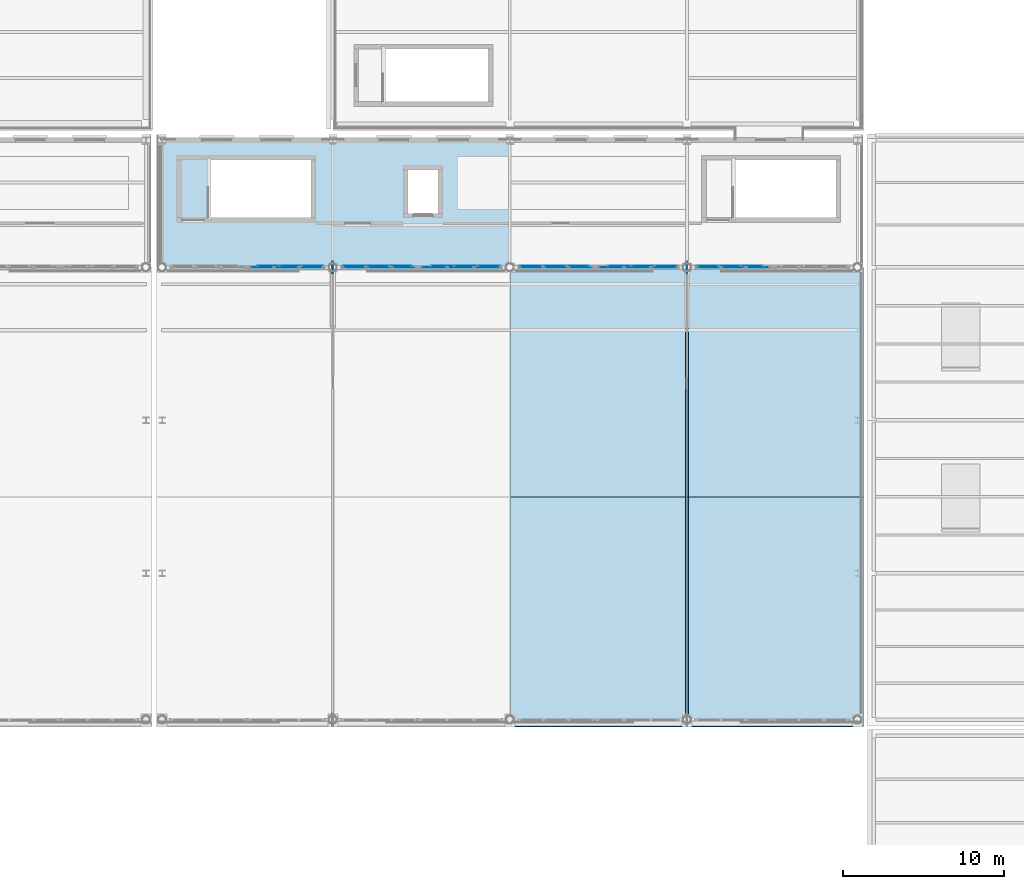
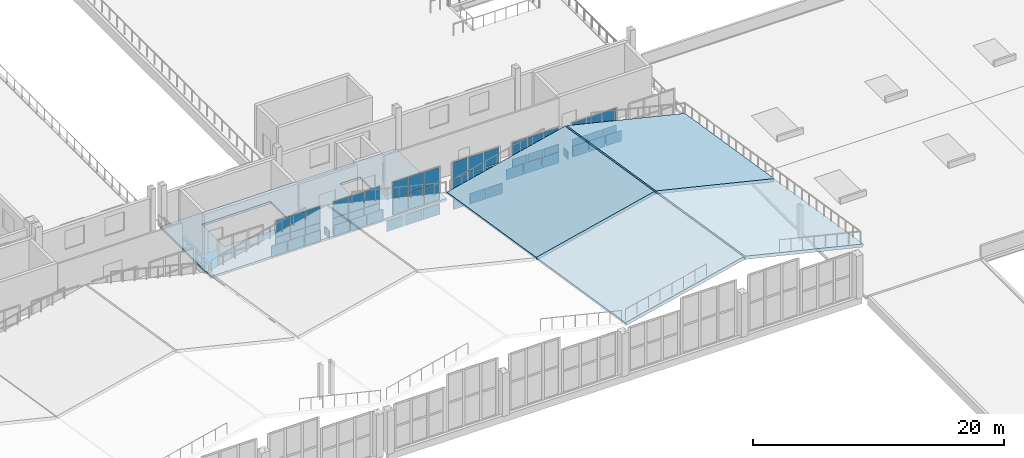
# One storey, part 84 of 120: 56 plates, 5 slabs, 12 elements without a shape of their own.
"""IFC4 building model written with IfcOpenShell, lengths in metres."""

from ifc_helpers import new_model, si_unit, direction, frame, origin, origin_2d, place, context, subcontext, project, spatial, polyline, rectangle, outline, extrude, material, layer, layer_set, type_object, element, aggregate, save


model = new_model("IFC4")

# Units and contexts
model_context = context("Model", 3, precision=1e-05, world=origin(), true_north=direction((0.0, 1.0)))
body_context = subcontext(model_context, "Body", "Model", "MODEL_VIEW")
ifc_project = project(units=[si_unit("LENGTHUNIT", "METRE"), si_unit("AREAUNIT", "SQUARE_METRE"), si_unit("VOLUMEUNIT", "CUBIC_METRE"), si_unit("PLANEANGLEUNIT", "RADIAN"), si_unit("MASSUNIT", "GRAM", prefix="KILO")], contexts=[model_context])

# Site, building, storey
site_placement = place(None, origin())
site = spatial("IfcSite", under=ifc_project, at=site_placement, CompositionType="ELEMENT")
building_placement = place(site_placement, origin())
building = spatial("IfcBuilding", under=site, at=building_placement, Name="Caurita Quay Ferry Terminal", CompositionType="ELEMENT")
storey_placement = place(building_placement, frame((0.0, 0.0, 9.89990234375)))
storey = spatial("IfcBuildingStorey", under=building, at=storey_placement, Name="L02", CompositionType="ELEMENT", Elevation=9.89990234375)

# Curtain wall, plates
ifc_material_1 = material(Name="Laminated solar-control insulated glass", Category="glass")
curtain_wall_type_1 = type_object("IfcCurtainWallType", Name="CW-SYS-14", PredefinedType="NOTDEFINED", material=ifc_material_1)
curtain_wall_1_placement = place(storey_placement, origin())
curtain_wall_1 = element("IfcCurtainWall", 1, at=curtain_wall_1_placement, inside=storey, type_object=curtain_wall_type_1, Name="Mezzanine Hall Overlook Glazing 106", PredefinedType="NOTDEFINED")
ifc_layer_1 = layer(ifc_material_1, 0.02392578125, Name="Laminated low-e hurricane-rated glazing unit 24 mm")
ifc_layer_set_1 = layer_set([ifc_layer_1], Name="Laminated solar-control insulated glass")
plate_type_1 = type_object("IfcPlateType", Name="CW-PNL-24", PredefinedType="CURTAIN_PANEL", material=ifc_layer_set_1)
plate_1_placement = place(storey_placement, frame((95.1650390625, 62.800048828125, 0.05810546875), z_axis=(0.0, 0.0, 1.0), x_axis=(1.0, 0.0, 0.0)))
plate_1 = element("IfcPlate", 2, at=plate_1_placement, type_object=plate_type_1, Name="CW-MZL-106 Glazing Panel 1", PredefinedType="CURTAIN_PANEL", context=body_context, shape_type="SweptSolid", body=[
    extrude(rectangle(XDim=1.31396484375, YDim=0.02392578125, at=origin_2d()), origin(), (0.0, 0.0, 1.0), 1.56396484375),
])
plate_2_placement = place(storey_placement, frame((95.1650390625, 62.800048828125, 1.67822265625), z_axis=(0.0, 0.0, 1.0), x_axis=(1.0, 0.0, 0.0)))
plate_2 = element("IfcPlate", 3, at=plate_2_placement, type_object=plate_type_1, Name="CW-MZL-106 Glazing Panel 2", PredefinedType="CURTAIN_PANEL", context=body_context, shape_type="SweptSolid", body=[
    extrude(rectangle(XDim=1.31396484375, YDim=0.02392578125, at=origin_2d()), origin(), (0.0, 0.0, 1.0), 1.56396484375),
])
plate_3_placement = place(storey_placement, frame((96.550048828125, 62.800048828125, 0.05810546875), z_axis=(0.0, 0.0, 1.0), x_axis=(1.0, 0.0, 0.0)))
plate_3 = element("IfcPlate", 4, at=plate_3_placement, type_object=plate_type_1, Name="CW-MZL-106 Glazing Panel 3", PredefinedType="CURTAIN_PANEL", context=body_context, shape_type="SweptSolid", body=[
    extrude(rectangle(XDim=1.343994140625, YDim=0.02392578125, at=origin_2d()), origin(), (0.0, 0.0, 1.0), 1.56396484375),
])
plate_4_placement = place(storey_placement, frame((96.550048828125, 62.800048828125, 1.67822265625), z_axis=(0.0, 0.0, 1.0), x_axis=(1.0, 0.0, 0.0)))
plate_4 = element("IfcPlate", 5, at=plate_4_placement, type_object=plate_type_1, Name="CW-MZL-106 Glazing Panel 4", PredefinedType="CURTAIN_PANEL", context=body_context, shape_type="SweptSolid", body=[
    extrude(rectangle(XDim=1.343994140625, YDim=0.02392578125, at=origin_2d()), origin(), (0.0, 0.0, 1.0), 1.56396484375),
])
plate_5_placement = place(storey_placement, frame((97.93505859375, 62.800048828125, 0.05810546875), z_axis=(0.0, 0.0, 1.0), x_axis=(1.0, 0.0, 0.0)))
plate_5 = element("IfcPlate", 6, at=plate_5_placement, type_object=plate_type_1, Name="CW-MZL-106 Glazing Panel 5", PredefinedType="CURTAIN_PANEL", context=body_context, shape_type="SweptSolid", body=[
    extrude(rectangle(XDim=1.31396484375, YDim=0.02392578125, at=origin_2d()), origin(), (0.0, 0.0, 1.0), 1.56396484375),
])
plate_6_placement = place(storey_placement, frame((97.93505859375, 62.800048828125, 1.67822265625), z_axis=(0.0, 0.0, 1.0), x_axis=(1.0, 0.0, 0.0)))
plate_6 = element("IfcPlate", 7, at=plate_6_placement, type_object=plate_type_1, Name="CW-MZL-106 Glazing Panel 6", PredefinedType="CURTAIN_PANEL", context=body_context, shape_type="SweptSolid", body=[
    extrude(rectangle(XDim=1.31396484375, YDim=0.02392578125, at=origin_2d()), origin(), (0.0, 0.0, 1.0), 1.56396484375),
])
aggregate(curtain_wall_1, [plate_1, plate_2, plate_3, plate_4, plate_5, plate_6])

curtain_wall_type_2 = type_object("IfcCurtainWallType", Name="CW-SYS-13", PredefinedType="NOTDEFINED", material=ifc_material_1)
curtain_wall_2_placement = place(storey_placement, origin())
curtain_wall_2 = element("IfcCurtainWall", 8, at=curtain_wall_2_placement, inside=storey, type_object=curtain_wall_type_2, Name="Mezzanine Hall Overlook Glazing 107", PredefinedType="NOTDEFINED")
plate_7_placement = place(storey_placement, frame((100.498291015625, 62.800048828125, 0.05810546875), z_axis=(0.0, 0.0, 1.0), x_axis=(1.0, 0.0, 0.0)))
plate_7 = element("IfcPlate", 9, at=plate_7_placement, type_object=plate_type_1, Name="CW-MZL-107 Glazing Panel 1", PredefinedType="CURTAIN_PANEL", context=body_context, shape_type="SweptSolid", body=[
    extrude(rectangle(XDim=1.380615234375, YDim=0.02392578125, at=origin_2d()), origin(), (0.0, 0.0, 1.0), 1.56396484375),
])
plate_8_placement = place(storey_placement, frame((100.498291015625, 62.800048828125, 1.67822265625), z_axis=(0.0, 0.0, 1.0), x_axis=(1.0, 0.0, 0.0)))
plate_8 = element("IfcPlate", 10, at=plate_8_placement, type_object=plate_type_1, Name="CW-MZL-107 Glazing Panel 2", PredefinedType="CURTAIN_PANEL", context=body_context, shape_type="SweptSolid", body=[
    extrude(rectangle(XDim=1.380615234375, YDim=0.02392578125, at=origin_2d()), origin(), (0.0, 0.0, 1.0), 1.56396484375),
])
plate_9_placement = place(storey_placement, frame((101.949951171875, 62.800048828125, 0.05810546875), z_axis=(0.0, 0.0, 1.0), x_axis=(1.0, 0.0, 0.0)))
plate_9 = element("IfcPlate", 11, at=plate_9_placement, type_object=plate_type_1, Name="CW-MZL-107 Glazing Panel 3", PredefinedType="CURTAIN_PANEL", context=body_context, shape_type="SweptSolid", body=[
    extrude(rectangle(XDim=1.41064453125, YDim=0.02392578125, at=origin_2d()), origin(), (0.0, 0.0, 1.0), 1.56396484375),
])
plate_10_placement = place(storey_placement, frame((101.949951171875, 62.800048828125, 1.67822265625), z_axis=(0.0, 0.0, 1.0), x_axis=(1.0, 0.0, 0.0)))
plate_10 = element("IfcPlate", 12, at=plate_10_placement, type_object=plate_type_1, Name="CW-MZL-107 Glazing Panel 4", PredefinedType="CURTAIN_PANEL", context=body_context, shape_type="SweptSolid", body=[
    extrude(rectangle(XDim=1.41064453125, YDim=0.02392578125, at=origin_2d()), origin(), (0.0, 0.0, 1.0), 1.56396484375),
])
plate_11_placement = place(storey_placement, frame((103.401611328125, 62.800048828125, 0.05810546875), z_axis=(0.0, 0.0, 1.0), x_axis=(1.0, 0.0, 0.0)))
plate_11 = element("IfcPlate", 13, at=plate_11_placement, type_object=plate_type_1, Name="CW-MZL-107 Glazing Panel 5", PredefinedType="CURTAIN_PANEL", context=body_context, shape_type="SweptSolid", body=[
    extrude(rectangle(XDim=1.380615234375, YDim=0.02392578125, at=origin_2d()), origin(), (0.0, 0.0, 1.0), 1.56396484375),
])
plate_12_placement = place(storey_placement, frame((103.401611328125, 62.800048828125, 1.67822265625), z_axis=(0.0, 0.0, 1.0), x_axis=(1.0, 0.0, 0.0)))
plate_12 = element("IfcPlate", 14, at=plate_12_placement, type_object=plate_type_1, Name="CW-MZL-107 Glazing Panel 6", PredefinedType="CURTAIN_PANEL", context=body_context, shape_type="SweptSolid", body=[
    extrude(rectangle(XDim=1.380615234375, YDim=0.02392578125, at=origin_2d()), origin(), (0.0, 0.0, 1.0), 1.56396484375),
])
aggregate(curtain_wall_2, [plate_7, plate_8, plate_9, plate_10, plate_11, plate_12])

curtain_wall_3_placement = place(storey_placement, origin())
curtain_wall_3 = element("IfcCurtainWall", 15, at=curtain_wall_3_placement, inside=storey, type_object=curtain_wall_type_2, Name="Mezzanine Hall Overlook Glazing 108", PredefinedType="NOTDEFINED")
plate_13_placement = place(storey_placement, frame((105.998291015625, 62.800048828125, 0.05810546875), z_axis=(0.0, 0.0, 1.0), x_axis=(1.0, 0.0, 0.0)))
plate_13 = element("IfcPlate", 16, at=plate_13_placement, type_object=plate_type_1, Name="CW-MZL-108 Glazing Panel 1", PredefinedType="CURTAIN_PANEL", context=body_context, shape_type="SweptSolid", body=[
    extrude(rectangle(XDim=1.380615234375, YDim=0.02392578125, at=origin_2d()), origin(), (0.0, 0.0, 1.0), 1.56396484375),
])
plate_14_placement = place(storey_placement, frame((105.998291015625, 62.800048828125, 1.67822265625), z_axis=(0.0, 0.0, 1.0), x_axis=(1.0, 0.0, 0.0)))
plate_14 = element("IfcPlate", 17, at=plate_14_placement, type_object=plate_type_1, Name="CW-MZL-108 Glazing Panel 2", PredefinedType="CURTAIN_PANEL", context=body_context, shape_type="SweptSolid", body=[
    extrude(rectangle(XDim=1.380615234375, YDim=0.02392578125, at=origin_2d()), origin(), (0.0, 0.0, 1.0), 1.56396484375),
])
plate_15_placement = place(storey_placement, frame((107.449951171875, 62.800048828125, 0.05810546875), z_axis=(0.0, 0.0, 1.0), x_axis=(1.0, 0.0, 0.0)))
plate_15 = element("IfcPlate", 18, at=plate_15_placement, type_object=plate_type_1, Name="CW-MZL-108 Glazing Panel 3", PredefinedType="CURTAIN_PANEL", context=body_context, shape_type="SweptSolid", body=[
    extrude(rectangle(XDim=1.41064453125, YDim=0.02392578125, at=origin_2d()), origin(), (0.0, 0.0, 1.0), 1.56396484375),
])
plate_16_placement = place(storey_placement, frame((107.449951171875, 62.800048828125, 1.67822265625), z_axis=(0.0, 0.0, 1.0), x_axis=(1.0, 0.0, 0.0)))
plate_16 = element("IfcPlate", 19, at=plate_16_placement, type_object=plate_type_1, Name="CW-MZL-108 Glazing Panel 4", PredefinedType="CURTAIN_PANEL", context=body_context, shape_type="SweptSolid", body=[
    extrude(rectangle(XDim=1.41064453125, YDim=0.02392578125, at=origin_2d()), origin(), (0.0, 0.0, 1.0), 1.56396484375),
])
plate_17_placement = place(storey_placement, frame((108.901611328125, 62.800048828125, 0.05810546875), z_axis=(0.0, 0.0, 1.0), x_axis=(1.0, 0.0, 0.0)))
plate_17 = element("IfcPlate", 20, at=plate_17_placement, type_object=plate_type_1, Name="CW-MZL-108 Glazing Panel 5", PredefinedType="CURTAIN_PANEL", context=body_context, shape_type="SweptSolid", body=[
    extrude(rectangle(XDim=1.380615234375, YDim=0.02392578125, at=origin_2d()), origin(), (0.0, 0.0, 1.0), 1.56396484375),
])
plate_18_placement = place(storey_placement, frame((108.901611328125, 62.800048828125, 1.67822265625), z_axis=(0.0, 0.0, 1.0), x_axis=(1.0, 0.0, 0.0)))
plate_18 = element("IfcPlate", 21, at=plate_18_placement, type_object=plate_type_1, Name="CW-MZL-108 Glazing Panel 6", PredefinedType="CURTAIN_PANEL", context=body_context, shape_type="SweptSolid", body=[
    extrude(rectangle(XDim=1.380615234375, YDim=0.02392578125, at=origin_2d()), origin(), (0.0, 0.0, 1.0), 1.56396484375),
])
aggregate(curtain_wall_3, [plate_13, plate_14, plate_15, plate_16, plate_17, plate_18])

curtain_wall_4_placement = place(storey_placement, origin())
curtain_wall_4 = element("IfcCurtainWall", 22, at=curtain_wall_4_placement, inside=storey, type_object=curtain_wall_type_2, Name="Mezzanine Hall Overlook Glazing 109", PredefinedType="NOTDEFINED")
plate_19_placement = place(storey_placement, frame((111.498291015625, 62.800048828125, 0.05810546875), z_axis=(0.0, 0.0, 1.0), x_axis=(1.0, 0.0, 0.0)))
plate_19 = element("IfcPlate", 23, at=plate_19_placement, type_object=plate_type_1, Name="CW-MZL-109 Glazing Panel 1", PredefinedType="CURTAIN_PANEL", context=body_context, shape_type="SweptSolid", body=[
    extrude(rectangle(XDim=1.380615234375, YDim=0.02392578125, at=origin_2d()), origin(), (0.0, 0.0, 1.0), 1.56396484375),
])
plate_20_placement = place(storey_placement, frame((111.498291015625, 62.800048828125, 1.67822265625), z_axis=(0.0, 0.0, 1.0), x_axis=(1.0, 0.0, 0.0)))
plate_20 = element("IfcPlate", 24, at=plate_20_placement, type_object=plate_type_1, Name="CW-MZL-109 Glazing Panel 2", PredefinedType="CURTAIN_PANEL", context=body_context, shape_type="SweptSolid", body=[
    extrude(rectangle(XDim=1.380615234375, YDim=0.02392578125, at=origin_2d()), origin(), (0.0, 0.0, 1.0), 1.56396484375),
])
plate_21_placement = place(storey_placement, frame((112.949951171875, 62.800048828125, 0.05810546875), z_axis=(0.0, 0.0, 1.0), x_axis=(1.0, 0.0, 0.0)))
plate_21 = element("IfcPlate", 25, at=plate_21_placement, type_object=plate_type_1, Name="CW-MZL-109 Glazing Panel 3", PredefinedType="CURTAIN_PANEL", context=body_context, shape_type="SweptSolid", body=[
    extrude(rectangle(XDim=1.41064453125, YDim=0.02392578125, at=origin_2d()), origin(), (0.0, 0.0, 1.0), 1.56396484375),
])
plate_22_placement = place(storey_placement, frame((112.949951171875, 62.800048828125, 1.67822265625), z_axis=(0.0, 0.0, 1.0), x_axis=(1.0, 0.0, 0.0)))
plate_22 = element("IfcPlate", 26, at=plate_22_placement, type_object=plate_type_1, Name="CW-MZL-109 Glazing Panel 4", PredefinedType="CURTAIN_PANEL", context=body_context, shape_type="SweptSolid", body=[
    extrude(rectangle(XDim=1.41064453125, YDim=0.02392578125, at=origin_2d()), origin(), (0.0, 0.0, 1.0), 1.56396484375),
])
plate_23_placement = place(storey_placement, frame((114.401611328125, 62.800048828125, 0.05810546875), z_axis=(0.0, 0.0, 1.0), x_axis=(1.0, 0.0, 0.0)))
plate_23 = element("IfcPlate", 27, at=plate_23_placement, type_object=plate_type_1, Name="CW-MZL-109 Glazing Panel 5", PredefinedType="CURTAIN_PANEL", context=body_context, shape_type="SweptSolid", body=[
    extrude(rectangle(XDim=1.380615234375, YDim=0.02392578125, at=origin_2d()), origin(), (0.0, 0.0, 1.0), 1.56396484375),
])
plate_24_placement = place(storey_placement, frame((114.401611328125, 62.800048828125, 1.67822265625), z_axis=(0.0, 0.0, 1.0), x_axis=(1.0, 0.0, 0.0)))
plate_24 = element("IfcPlate", 28, at=plate_24_placement, type_object=plate_type_1, Name="CW-MZL-109 Glazing Panel 6", PredefinedType="CURTAIN_PANEL", context=body_context, shape_type="SweptSolid", body=[
    extrude(rectangle(XDim=1.380615234375, YDim=0.02392578125, at=origin_2d()), origin(), (0.0, 0.0, 1.0), 1.56396484375),
])
aggregate(curtain_wall_4, [plate_19, plate_20, plate_21, plate_22, plate_23, plate_24])

curtain_wall_5_placement = place(storey_placement, origin())
curtain_wall_5 = element("IfcCurtainWall", 29, at=curtain_wall_5_placement, inside=storey, type_object=curtain_wall_type_2, Name="Mezzanine Hall Overlook Glazing 110", PredefinedType="NOTDEFINED")
plate_25_placement = place(storey_placement, frame((116.998291015625, 62.800048828125, 0.05810546875), z_axis=(0.0, 0.0, 1.0), x_axis=(1.0, 0.0, 0.0)))
plate_25 = element("IfcPlate", 30, at=plate_25_placement, type_object=plate_type_1, Name="CW-MZL-110 Glazing Panel 1", PredefinedType="CURTAIN_PANEL", context=body_context, shape_type="SweptSolid", body=[
    extrude(rectangle(XDim=1.380615234375, YDim=0.02392578125, at=origin_2d()), origin(), (0.0, 0.0, 1.0), 1.56396484375),
])
plate_26_placement = place(storey_placement, frame((116.998291015625, 62.800048828125, 1.67822265625), z_axis=(0.0, 0.0, 1.0), x_axis=(1.0, 0.0, 0.0)))
plate_26 = element("IfcPlate", 31, at=plate_26_placement, type_object=plate_type_1, Name="CW-MZL-110 Glazing Panel 2", PredefinedType="CURTAIN_PANEL", context=body_context, shape_type="SweptSolid", body=[
    extrude(rectangle(XDim=1.380615234375, YDim=0.02392578125, at=origin_2d()), origin(), (0.0, 0.0, 1.0), 1.56396484375),
])
plate_27_placement = place(storey_placement, frame((118.449951171875, 62.800048828125, 0.05810546875), z_axis=(0.0, 0.0, 1.0), x_axis=(1.0, 0.0, 0.0)))
plate_27 = element("IfcPlate", 32, at=plate_27_placement, type_object=plate_type_1, Name="CW-MZL-110 Glazing Panel 3", PredefinedType="CURTAIN_PANEL", context=body_context, shape_type="SweptSolid", body=[
    extrude(rectangle(XDim=1.41064453125, YDim=0.02392578125, at=origin_2d()), origin(), (0.0, 0.0, 1.0), 1.56396484375),
])
plate_28_placement = place(storey_placement, frame((118.449951171875, 62.800048828125, 1.67822265625), z_axis=(0.0, 0.0, 1.0), x_axis=(1.0, 0.0, 0.0)))
plate_28 = element("IfcPlate", 33, at=plate_28_placement, type_object=plate_type_1, Name="CW-MZL-110 Glazing Panel 4", PredefinedType="CURTAIN_PANEL", context=body_context, shape_type="SweptSolid", body=[
    extrude(rectangle(XDim=1.41064453125, YDim=0.02392578125, at=origin_2d()), origin(), (0.0, 0.0, 1.0), 1.56396484375),
])
plate_29_placement = place(storey_placement, frame((119.901611328125, 62.800048828125, 0.05810546875), z_axis=(0.0, 0.0, 1.0), x_axis=(1.0, 0.0, 0.0)))
plate_29 = element("IfcPlate", 34, at=plate_29_placement, type_object=plate_type_1, Name="CW-MZL-110 Glazing Panel 5", PredefinedType="CURTAIN_PANEL", context=body_context, shape_type="SweptSolid", body=[
    extrude(rectangle(XDim=1.380615234375, YDim=0.02392578125, at=origin_2d()), origin(), (0.0, 0.0, 1.0), 1.56396484375),
])
plate_30_placement = place(storey_placement, frame((119.901611328125, 62.800048828125, 1.67822265625), z_axis=(0.0, 0.0, 1.0), x_axis=(1.0, 0.0, 0.0)))
plate_30 = element("IfcPlate", 35, at=plate_30_placement, type_object=plate_type_1, Name="CW-MZL-110 Glazing Panel 6", PredefinedType="CURTAIN_PANEL", context=body_context, shape_type="SweptSolid", body=[
    extrude(rectangle(XDim=1.380615234375, YDim=0.02392578125, at=origin_2d()), origin(), (0.0, 0.0, 1.0), 1.56396484375),
])
aggregate(curtain_wall_5, [plate_25, plate_26, plate_27, plate_28, plate_29, plate_30])

curtain_wall_6_placement = place(storey_placement, origin())
curtain_wall_6 = element("IfcCurtainWall", 36, at=curtain_wall_6_placement, inside=storey, type_object=curtain_wall_type_1, Name="Mezzanine Hall Overlook Glazing 111", PredefinedType="NOTDEFINED")
plate_31_placement = place(storey_placement, frame((122.465087890625, 62.800048828125, 0.05810546875), z_axis=(0.0, 0.0, 1.0), x_axis=(1.0, 0.0, 0.0)))
plate_31 = element("IfcPlate", 37, at=plate_31_placement, type_object=plate_type_1, Name="CW-MZL-111 Glazing Panel 1", PredefinedType="CURTAIN_PANEL", context=body_context, shape_type="SweptSolid", body=[
    extrude(rectangle(XDim=1.31396484375, YDim=0.02392578125, at=origin_2d()), origin(), (0.0, 0.0, 1.0), 1.56396484375),
])
plate_32_placement = place(storey_placement, frame((122.465087890625, 62.800048828125, 1.67822265625), z_axis=(0.0, 0.0, 1.0), x_axis=(1.0, 0.0, 0.0)))
plate_32 = element("IfcPlate", 38, at=plate_32_placement, type_object=plate_type_1, Name="CW-MZL-111 Glazing Panel 2", PredefinedType="CURTAIN_PANEL", context=body_context, shape_type="SweptSolid", body=[
    extrude(rectangle(XDim=1.31396484375, YDim=0.02392578125, at=origin_2d()), origin(), (0.0, 0.0, 1.0), 1.56396484375),
])
plate_33_placement = place(storey_placement, frame((123.85009765625, 62.800048828125, 0.05810546875), z_axis=(0.0, 0.0, 1.0), x_axis=(1.0, 0.0, 0.0)))
plate_33 = element("IfcPlate", 39, at=plate_33_placement, type_object=plate_type_1, Name="CW-MZL-111 Glazing Panel 3", PredefinedType="CURTAIN_PANEL", context=body_context, shape_type="SweptSolid", body=[
    extrude(rectangle(XDim=1.343994140625, YDim=0.02392578125, at=origin_2d()), origin(), (0.0, 0.0, 1.0), 1.56396484375),
])
plate_34_placement = place(storey_placement, frame((123.85009765625, 62.800048828125, 1.67822265625), z_axis=(0.0, 0.0, 1.0), x_axis=(1.0, 0.0, 0.0)))
plate_34 = element("IfcPlate", 40, at=plate_34_placement, type_object=plate_type_1, Name="CW-MZL-111 Glazing Panel 4", PredefinedType="CURTAIN_PANEL", context=body_context, shape_type="SweptSolid", body=[
    extrude(rectangle(XDim=1.343994140625, YDim=0.02392578125, at=origin_2d()), origin(), (0.0, 0.0, 1.0), 1.56396484375),
])
plate_35_placement = place(storey_placement, frame((125.235107421875, 62.800048828125, 0.05810546875), z_axis=(0.0, 0.0, 1.0), x_axis=(1.0, 0.0, 0.0)))
plate_35 = element("IfcPlate", 41, at=plate_35_placement, type_object=plate_type_1, Name="CW-MZL-111 Glazing Panel 5", PredefinedType="CURTAIN_PANEL", context=body_context, shape_type="SweptSolid", body=[
    extrude(rectangle(XDim=1.31396484375, YDim=0.02392578125, at=origin_2d()), origin(), (0.0, 0.0, 1.0), 1.56396484375),
])
plate_36_placement = place(storey_placement, frame((125.235107421875, 62.800048828125, 1.67822265625), z_axis=(0.0, 0.0, 1.0), x_axis=(1.0, 0.0, 0.0)))
plate_36 = element("IfcPlate", 42, at=plate_36_placement, type_object=plate_type_1, Name="CW-MZL-111 Glazing Panel 6", PredefinedType="CURTAIN_PANEL", context=body_context, shape_type="SweptSolid", body=[
    extrude(rectangle(XDim=1.31396484375, YDim=0.02392578125, at=origin_2d()), origin(), (0.0, 0.0, 1.0), 1.56396484375),
])
aggregate(curtain_wall_6, [plate_31, plate_32, plate_33, plate_34, plate_35, plate_36])

curtain_wall_type_3 = type_object("IfcCurtainWallType", Name="CW-SYS-05", PredefinedType="NOTDEFINED", material=ifc_material_1)
curtain_wall_7_placement = place(storey_placement, origin())
curtain_wall_7 = element("IfcCurtainWall", 43, at=curtain_wall_7_placement, inside=storey, type_object=curtain_wall_type_3, Name="Folded Roof Clerestory FB-05-N2", PredefinedType="NOTDEFINED")
ifc_layer_2 = layer(ifc_material_1, 0.028076171875, Name="Laminated low-e hurricane-rated glazing unit 28 mm")
ifc_layer_set_2 = layer_set([ifc_layer_2], Name="Laminated solar-control insulated glass")
plate_type_2 = type_object("IfcPlateType", Name="CW-PNL-28", PredefinedType="CURTAIN_PANEL", material=ifc_layer_set_2)
plate_37_placement = place(storey_placement, frame((94.793701171875, 62.699951171875, -0.0498046875), z_axis=(0.0, 0.0, 1.0), x_axis=(1.0, 0.0, 0.0)))
plate_37 = element("IfcPlate", 44, at=plate_37_placement, type_object=plate_type_2, Name="CW-CLR-038 Glazing Panel 1", PredefinedType="CURTAIN_PANEL", context=body_context, shape_type="SweptSolid", body=[
    extrude(rectangle(XDim=1.44140625, YDim=0.028076171875, at=origin_2d()), origin(), (0.0, 0.0, 1.0), 1.053955078125),
])
plate_38_placement = place(storey_placement, frame((96.324951171875, 62.699951171875, -0.0498046875), z_axis=(0.0, 0.0, 1.0), x_axis=(1.0, 0.0, 0.0)))
plate_38 = element("IfcPlate", 45, at=plate_38_placement, type_object=plate_type_2, Name="CW-CLR-038 Glazing Panel 2", PredefinedType="CURTAIN_PANEL", context=body_context, shape_type="SweptSolid", body=[
    extrude(rectangle(XDim=1.47900390625, YDim=0.028076171875, at=origin_2d()), origin(), (0.0, 0.0, 1.0), 1.053955078125),
])
plate_39_placement = place(storey_placement, frame((97.856201171875, 62.699951171875, -0.0498046875), z_axis=(0.0, 0.0, 1.0), x_axis=(1.0, 0.0, 0.0)))
plate_39 = element("IfcPlate", 46, at=plate_39_placement, type_object=plate_type_2, Name="CW-CLR-038 Glazing Panel 3", PredefinedType="CURTAIN_PANEL", context=body_context, shape_type="SweptSolid", body=[
    extrude(rectangle(XDim=1.44140625, YDim=0.028076171875, at=origin_2d()), origin(), (0.0, 0.0, 1.0), 1.053955078125),
])
aggregate(curtain_wall_7, [plate_37, plate_38, plate_39])

curtain_wall_8_placement = place(storey_placement, origin())
curtain_wall_8 = element("IfcCurtainWall", 47, at=curtain_wall_8_placement, inside=storey, type_object=curtain_wall_type_3, Name="Folded Roof Clerestory FB-05-N3", PredefinedType="NOTDEFINED")
plate_40_placement = place(storey_placement, frame((100.543701171875, 62.699951171875, -0.0498046875), z_axis=(0.0, 0.0, 1.0), x_axis=(1.0, 0.0, 0.0)))
plate_40 = element("IfcPlate", 48, at=plate_40_placement, type_object=plate_type_2, Name="CW-CLR-039 Glazing Panel 1", PredefinedType="CURTAIN_PANEL", context=body_context, shape_type="SweptSolid", body=[
    extrude(rectangle(XDim=1.44140625, YDim=0.028076171875, at=origin_2d()), origin(), (0.0, 0.0, 1.0), 1.053955078125),
])
plate_41_placement = place(storey_placement, frame((102.074951171875, 62.699951171875, -0.0498046875), z_axis=(0.0, 0.0, 1.0), x_axis=(1.0, 0.0, 0.0)))
plate_41 = element("IfcPlate", 49, at=plate_41_placement, type_object=plate_type_2, Name="CW-CLR-039 Glazing Panel 2", PredefinedType="CURTAIN_PANEL", context=body_context, shape_type="SweptSolid", body=[
    extrude(rectangle(XDim=1.47900390625, YDim=0.028076171875, at=origin_2d()), origin(), (0.0, 0.0, 1.0), 1.053955078125),
])
plate_42_placement = place(storey_placement, frame((103.606201171875, 62.699951171875, -0.0498046875), z_axis=(0.0, 0.0, 1.0), x_axis=(1.0, 0.0, 0.0)))
plate_42 = element("IfcPlate", 50, at=plate_42_placement, type_object=plate_type_2, Name="CW-CLR-039 Glazing Panel 3", PredefinedType="CURTAIN_PANEL", context=body_context, shape_type="SweptSolid", body=[
    extrude(rectangle(XDim=1.44140625, YDim=0.028076171875, at=origin_2d()), origin(), (0.0, 0.0, 1.0), 1.053955078125),
])
aggregate(curtain_wall_8, [plate_40, plate_41, plate_42])

curtain_wall_type_4 = type_object("IfcCurtainWallType", Name="CW-SYS-06", PredefinedType="NOTDEFINED", material=ifc_material_1)
curtain_wall_9_placement = place(storey_placement, origin())
curtain_wall_9 = element("IfcCurtainWall", 51, at=curtain_wall_9_placement, inside=storey, type_object=curtain_wall_type_4, Name="Folded Roof Clerestory FB-05-N4", PredefinedType="NOTDEFINED")
plate_43_placement = place(storey_placement, frame((105.46044921875, 62.699951171875, -1.31005859375), z_axis=(0.0, 0.0, 1.0), x_axis=(1.0, 0.0, 0.0)))
plate_43 = element("IfcPlate", 52, at=plate_43_placement, type_object=plate_type_2, Name="CW-CLR-040 Glazing Panel 1", PredefinedType="CURTAIN_PANEL", context=body_context, shape_type="SweptSolid", body=[
    extrude(rectangle(XDim=1.57470703125, YDim=0.028076171875, at=origin_2d()), origin(), (0.0, 0.0, 1.0), 1.053955078125),
])
plate_44_placement = place(storey_placement, frame((107.125, 62.699951171875, -1.31005859375), z_axis=(0.0, 0.0, 1.0), x_axis=(1.0, 0.0, 0.0)))
plate_44 = element("IfcPlate", 53, at=plate_44_placement, type_object=plate_type_2, Name="CW-CLR-040 Glazing Panel 2", PredefinedType="CURTAIN_PANEL", context=body_context, shape_type="SweptSolid", body=[
    extrude(rectangle(XDim=1.6123046875, YDim=0.028076171875, at=origin_2d()), origin(), (0.0, 0.0, 1.0), 1.053955078125),
])
plate_45_placement = place(storey_placement, frame((108.78955078125, 62.699951171875, -1.31005859375), z_axis=(0.0, 0.0, 1.0), x_axis=(1.0, 0.0, 0.0)))
plate_45 = element("IfcPlate", 54, at=plate_45_placement, type_object=plate_type_2, Name="CW-CLR-040 Glazing Panel 3", PredefinedType="CURTAIN_PANEL", context=body_context, shape_type="SweptSolid", body=[
    extrude(rectangle(XDim=1.57470703125, YDim=0.028076171875, at=origin_2d()), origin(), (0.0, 0.0, 1.0), 1.053955078125),
])
aggregate(curtain_wall_9, [plate_43, plate_44, plate_45])

curtain_wall_10_placement = place(storey_placement, origin())
curtain_wall_10 = element("IfcCurtainWall", 55, at=curtain_wall_10_placement, inside=storey, type_object=curtain_wall_type_3, Name="Folded Roof Clerestory FB-06-N1", PredefinedType="NOTDEFINED")
plate_46_placement = place(storey_placement, frame((111.543701171875, 62.699951171875, -1.31005859375), z_axis=(0.0, 0.0, 1.0), x_axis=(1.0, 0.0, 0.0)))
plate_46 = element("IfcPlate", 56, at=plate_46_placement, type_object=plate_type_2, Name="CW-CLR-045 Glazing Panel 1", PredefinedType="CURTAIN_PANEL", context=body_context, shape_type="SweptSolid", body=[
    extrude(rectangle(XDim=1.44140625, YDim=0.028076171875, at=origin_2d()), origin(), (0.0, 0.0, 1.0), 1.053955078125),
])
plate_47_placement = place(storey_placement, frame((113.074951171875, 62.699951171875, -1.31005859375), z_axis=(0.0, 0.0, 1.0), x_axis=(1.0, 0.0, 0.0)))
plate_47 = element("IfcPlate", 57, at=plate_47_placement, type_object=plate_type_2, Name="CW-CLR-045 Glazing Panel 2", PredefinedType="CURTAIN_PANEL", context=body_context, shape_type="SweptSolid", body=[
    extrude(rectangle(XDim=1.47900390625, YDim=0.028076171875, at=origin_2d()), origin(), (0.0, 0.0, 1.0), 1.053955078125),
])
plate_48_placement = place(storey_placement, frame((114.606201171875, 62.699951171875, -1.31005859375), z_axis=(0.0, 0.0, 1.0), x_axis=(1.0, 0.0, 0.0)))
plate_48 = element("IfcPlate", 58, at=plate_48_placement, type_object=plate_type_2, Name="CW-CLR-045 Glazing Panel 3", PredefinedType="CURTAIN_PANEL", context=body_context, shape_type="SweptSolid", body=[
    extrude(rectangle(XDim=1.44140625, YDim=0.028076171875, at=origin_2d()), origin(), (0.0, 0.0, 1.0), 1.053955078125),
])
aggregate(curtain_wall_10, [plate_46, plate_47, plate_48])

curtain_wall_11_placement = place(storey_placement, origin())
curtain_wall_11 = element("IfcCurtainWall", 59, at=curtain_wall_11_placement, inside=storey, type_object=curtain_wall_type_4, Name="Folded Roof Clerestory FB-06-N2", PredefinedType="NOTDEFINED")
plate_49_placement = place(storey_placement, frame((116.46044921875, 62.699951171875, -0.14599609375), z_axis=(0.0, 0.0, 1.0), x_axis=(1.0, 0.0, 0.0)))
plate_49 = element("IfcPlate", 60, at=plate_49_placement, type_object=plate_type_2, Name="CW-CLR-046 Glazing Panel 1", PredefinedType="CURTAIN_PANEL", context=body_context, shape_type="SweptSolid", body=[
    extrude(rectangle(XDim=1.57470703125, YDim=0.028076171875, at=origin_2d()), origin(), (0.0, 0.0, 1.0), 1.053955078125),
])
plate_50_placement = place(storey_placement, frame((118.125, 62.699951171875, -0.14599609375), z_axis=(0.0, 0.0, 1.0), x_axis=(1.0, 0.0, 0.0)))
plate_50 = element("IfcPlate", 61, at=plate_50_placement, type_object=plate_type_2, Name="CW-CLR-046 Glazing Panel 2", PredefinedType="CURTAIN_PANEL", context=body_context, shape_type="SweptSolid", body=[
    extrude(rectangle(XDim=1.6123046875, YDim=0.028076171875, at=origin_2d()), origin(), (0.0, 0.0, 1.0), 1.053955078125),
])
plate_51_placement = place(storey_placement, frame((119.78955078125, 62.699951171875, -0.14599609375), z_axis=(0.0, 0.0, 1.0), x_axis=(1.0, 0.0, 0.0)))
plate_51 = element("IfcPlate", 62, at=plate_51_placement, type_object=plate_type_2, Name="CW-CLR-046 Glazing Panel 3", PredefinedType="CURTAIN_PANEL", context=body_context, shape_type="SweptSolid", body=[
    extrude(rectangle(XDim=1.57470703125, YDim=0.028076171875, at=origin_2d()), origin(), (0.0, 0.0, 1.0), 1.053955078125),
])
aggregate(curtain_wall_11, [plate_49, plate_50, plate_51])

curtain_wall_12_placement = place(storey_placement, origin())
curtain_wall_12 = element("IfcCurtainWall", 63, at=curtain_wall_12_placement, inside=storey, type_object=curtain_wall_type_3, Name="Folded Roof Clerestory FB-06-N3", PredefinedType="NOTDEFINED")
plate_52_placement = place(storey_placement, frame((122.543701171875, 62.699951171875, -0.0498046875), z_axis=(0.0, 0.0, 1.0), x_axis=(1.0, 0.0, 0.0)))
plate_52 = element("IfcPlate", 64, at=plate_52_placement, type_object=plate_type_2, Name="CW-CLR-047 Glazing Panel 1", PredefinedType="CURTAIN_PANEL", context=body_context, shape_type="SweptSolid", body=[
    extrude(rectangle(XDim=1.44140625, YDim=0.028076171875, at=origin_2d()), origin(), (0.0, 0.0, 1.0), 1.053955078125),
])
plate_53_placement = place(storey_placement, frame((124.074951171875, 62.699951171875, -0.0498046875), z_axis=(0.0, 0.0, 1.0), x_axis=(1.0, 0.0, 0.0)))
plate_53 = element("IfcPlate", 65, at=plate_53_placement, type_object=plate_type_2, Name="CW-CLR-047 Glazing Panel 2", PredefinedType="CURTAIN_PANEL", context=body_context, shape_type="SweptSolid", body=[
    extrude(rectangle(XDim=1.47900390625, YDim=0.028076171875, at=origin_2d()), origin(), (0.0, 0.0, 1.0), 1.053955078125),
])
plate_54_placement = place(storey_placement, frame((125.606201171875, 62.699951171875, -0.0498046875), z_axis=(0.0, 0.0, 1.0), x_axis=(1.0, 0.0, 0.0)))
plate_54 = element("IfcPlate", 66, at=plate_54_placement, type_object=plate_type_2, Name="CW-CLR-047 Glazing Panel 3", PredefinedType="CURTAIN_PANEL", context=body_context, shape_type="SweptSolid", body=[
    extrude(rectangle(XDim=1.44140625, YDim=0.028076171875, at=origin_2d()), origin(), (0.0, 0.0, 1.0), 1.053955078125),
])
aggregate(curtain_wall_12, [plate_52, plate_53, plate_54])

# Plates
ifc_material_2 = material(Name="Structural plate steel ASTM A572 Gr. 50", Category="steel")
ifc_layer_3 = layer(ifc_material_2, 0.048095703125, Name="Structural steel connection plate 48 mm")
ifc_layer_set_3 = layer_set([ifc_layer_3], Name="Structural plate steel ASTM A572 Gr. 50")
plate_type_3 = type_object("IfcPlateType", Name="PLT-STL-48", PredefinedType="USERDEFINED", material=ifc_layer_set_3)
for number, where, z_axis, x_axis, name in (
    (67, (99.199951171875, 62.699951171875, 0.175048828125), (0.0, 0.0, 1.0), (1.0, 0.0, 0.0), "Mast Collar Stay-Cable Gusset Plate V2-02-N"),
    (68, (121.199951171875, 62.699951171875, 0.175048828125), (0.0, 0.0, 1.0), (1.0, 0.0, 0.0), "Mast Collar Stay-Cable Gusset Plate V2-04-N"),
):
    element("IfcPlate", number, at=place(storey_placement, frame(where, z_axis=z_axis, x_axis=x_axis)), inside=storey, type_object=plate_type_3, Name=name, ObjectType="GUSSET PLATE", PredefinedType="USERDEFINED", context=body_context, shape_type="SweptSolid", body=[
        extrude(rectangle(XDim=0.048095703125, YDim=0.719970703125, at=origin_2d()), origin(), (0.0, 0.0, 1.0), 0.75),
    ])

# Slabs
ifc_material_3 = material(Name="Reinforced concrete C35/45", Category="concrete")
ifc_layer_4 = layer(ifc_material_3, 0.219970703125, Name="Reinforced concrete floor slab 220 mm")
ifc_layer_set_4 = layer_set([ifc_layer_4], Name="Reinforced concrete C35/45")
slab_type_1 = type_object("IfcSlabType", Name="SLB-FLR-220", PredefinedType="FLOOR", material=ifc_layer_set_4)
slab_placement = place(storey_placement, frame((0.0, 0.0, -0.219970703125)))
element("IfcSlab", 69, at=slab_placement, inside=storey, type_object=slab_type_1, Name="L02 V2-MEZ Slab 01", PredefinedType="FLOOR", context=body_context, shape_type="SweptSolid", body=[
    extrude(outline(polyline([(88.5, 62.699951171875), (110.199951171875, 62.699951171875), (110.199951171875, 70.75), (88.5, 70.75), (88.5, 62.699951171875)]), holes=[polyline([(91.5, 65.800048828125), (97.85009765625, 65.800048828125), (97.85009765625, 69.360107421875), (91.5, 69.360107421875), (91.5, 65.800048828125)]), polyline([(103.85498046875, 66.054931640625), (105.7451171875, 66.054931640625), (105.7451171875, 68.7451171875), (103.85498046875, 68.7451171875), (103.85498046875, 66.054931640625)])]), origin(), (0.0, 0.0, 1.0), 0.219970703125),
])
ifc_layer_5 = layer(ifc_material_3, 0.280029296875, Name="Reinforced concrete roof slab 280 mm")
ifc_layer_set_5 = layer_set([ifc_layer_5], Name="Reinforced concrete C35/45")
slab_type_2 = type_object("IfcSlabType", Name="SLB-FOLD-280", PredefinedType="ROOF", material=ifc_layer_set_5)
for number, where, z_axis, x_axis, name in (
    (70, (110.239990234375, 34.199951171875, 5.169677734375), (-0.23060682802, 0.153734111369, 0.960825849919), (0.972385321357, 0.0, 0.233381204919), "Folded Concourse Roof Facet FB-06 W1"),
    (71, (110.239990234375, 48.449951171875, 2.8896484375), (-0.23060682802, 0.153734111369, 0.960825849919), (0.972385321357, 0.0, 0.233381204919), "Folded Concourse Roof Facet FB-06 W2"),
):
    element("IfcSlab", number, at=place(storey_placement, frame(where, z_axis=z_axis, x_axis=x_axis)), inside=storey, type_object=slab_type_2, Name=name, PredefinedType="ROOF", context=body_context, shape_type="SweptSolid", body=[
        extrude(outline(polyline([(0.0, 0.0), (11.189110647970782, 5.551115123125783e-17), (10.656994663414544, 14.421438422487132), (-0.5321159845562384, 14.421438422487132), (0.0, 0.0)])), origin(), (0.0, 0.0, -1.0), 0.280029296875),
    ])
for number, where, z_axis, x_axis, name in (
    (72, (121.280029296875, 34.199951171875, 7.781005859375), (0.230611727555, 0.153733927912, 0.960824703327), (0.972384132882, 0.0, -0.233386156658), "Folded Concourse Roof Facet FB-06 E1"),
    (73, (121.280029296875, 48.449951171875, 5.5009765625), (0.230611727555, 0.153733927912, 0.960824703327), (0.972384132882, 0.0, -0.233386156658), "Folded Concourse Roof Facet FB-06 E2"),
):
    element("IfcSlab", number, at=place(storey_placement, frame(where, z_axis=z_axis, x_axis=x_axis)), inside=storey, type_object=slab_type_2, Name=name, PredefinedType="ROOF", context=body_context, shape_type="SweptSolid", body=[
        extrude(outline(polyline([(0.0, 0.0), (11.18887324935576, 0.0), (11.721000524020926, 14.421438005905157), (0.5321272746651661, 14.421438005905157), (0.0, 0.0)])), origin(), (0.0, 0.0, -1.0), 0.280029296875),
    ])

save(model, "model.ifc")
